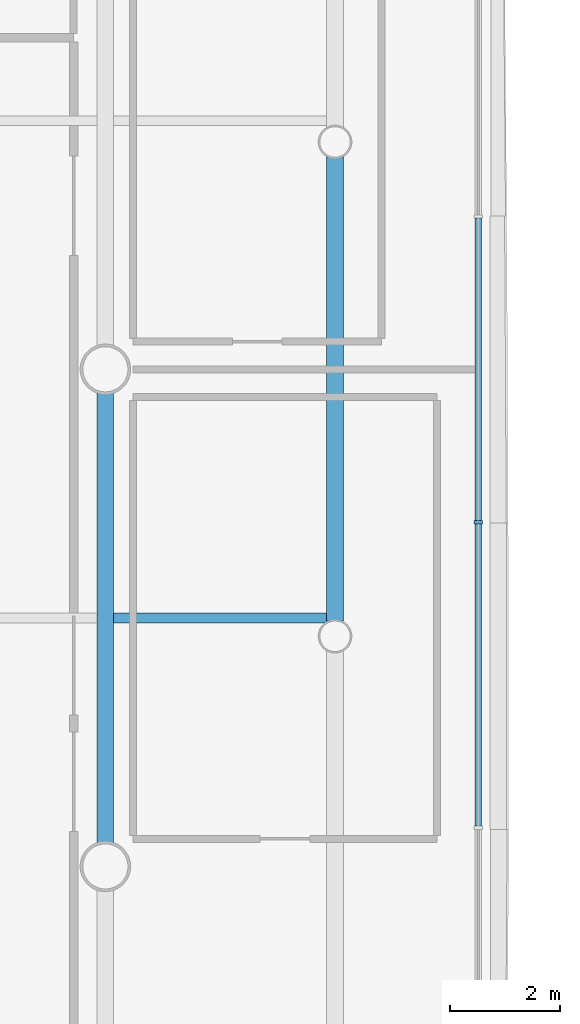
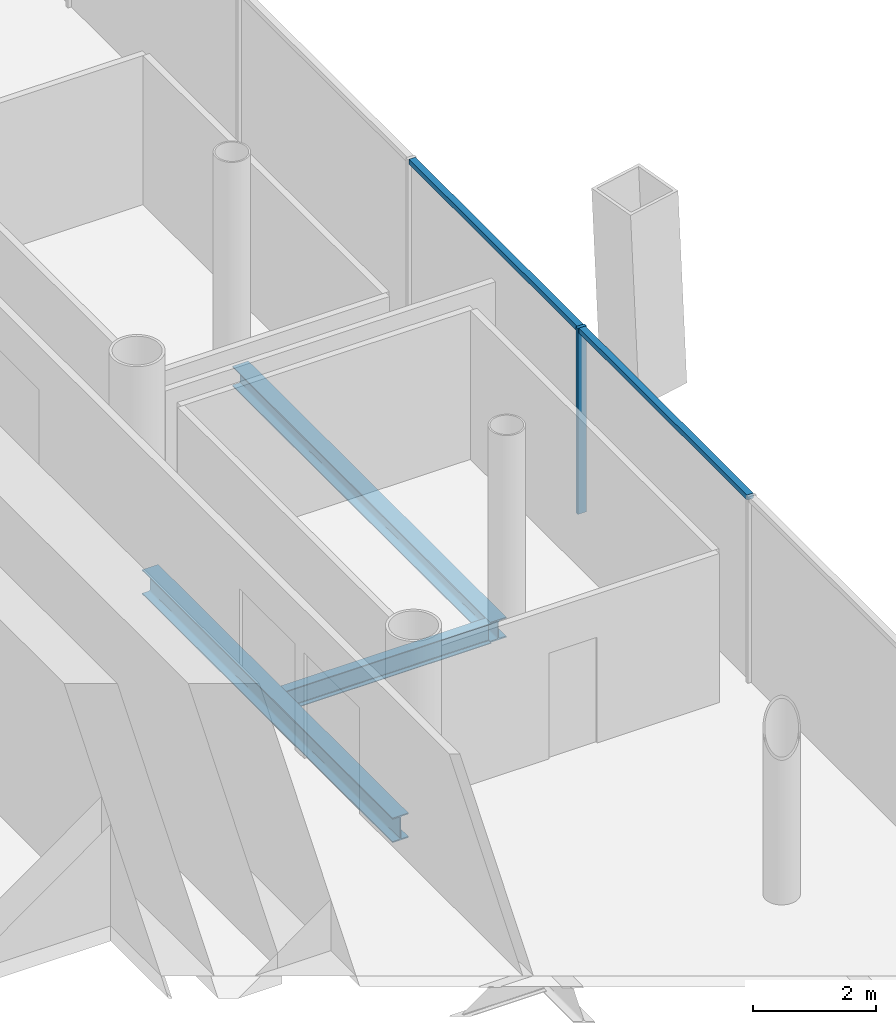
# One storey, part 7 of 22: 3 beams, 3 members, 1 element without a shape of its own.
"""IFC4 building model written with IfcOpenShell, lengths in metres."""

from ifc_helpers import new_model, si_unit, direction, frame, origin, origin_2d, place, context, subcontext, project, spatial, rectangle, i_section, extrude, material, material_profile, profile_set, type_object, element, aggregate, save


model = new_model("IFC4")

# Units and contexts
model_context = context("Model", 3, precision=1e-05, world=origin(), true_north=direction((0.0, 1.0)))
body_context = subcontext(model_context, "Body", "Model", "MODEL_VIEW")
ifc_project = project(units=[si_unit("LENGTHUNIT", "METRE"), si_unit("AREAUNIT", "SQUARE_METRE"), si_unit("VOLUMEUNIT", "CUBIC_METRE"), si_unit("PLANEANGLEUNIT", "RADIAN"), si_unit("MASSUNIT", "GRAM", prefix="KILO")], contexts=[model_context])

# Site, building, storey
site_placement = place(None, origin())
site = spatial("IfcSite", under=ifc_project, at=site_placement, CompositionType="ELEMENT")
building_placement = place(site_placement, origin())
building = spatial("IfcBuilding", under=site, at=building_placement, Name="Tskaro Facet Tower", CompositionType="ELEMENT")
storey_placement = place(building_placement, frame((0.0, 0.0, 18.60009765625)))
storey = spatial("IfcBuildingStorey", under=building, at=storey_placement, Name="L03", CompositionType="ELEMENT", Elevation=18.60009765625)

# Curtain wall, members
ifc_material_1 = material(Name="Bronze anodised aluminium 6063-T6", Category="aluminium")
curtain_wall_type = type_object("IfcCurtainWallType", Name="Bronze office curtain wall (FW1)", PredefinedType="NOTDEFINED", material=ifc_material_1)
curtain_wall_placement = place(storey_placement, origin())
curtain_wall = element("IfcCurtainWall", 1, at=curtain_wall_placement, inside=storey, type_object=curtain_wall_type, Name="FW1 east facet L03", PredefinedType="NOTDEFINED")
ifc_material_profile_1 = material_profile(ifc_material_1, rectangle(XDim=0.06005859375, YDim=0.159912109375, at=origin_2d()), Name="Mullion 60x160")
ifc_profile_set_1 = profile_set([ifc_material_profile_1], Name="Bronze anodised aluminium 6063-T6")
member_type_1 = type_object("IfcMemberType", Name="FW1 bronze mullion 60x160", PredefinedType="MULLION", material=ifc_profile_set_1)
member_1_placement = place(storey_placement, frame((24.75, -2.76611328125, 0.0), z_axis=(0.0, 0.0, 1.0), x_axis=(0.0, 1.0, 0.0)))
member_1 = element("IfcMember", 2, at=member_1_placement, type_object=member_type_1, Name="FW1 east mullion 4", PredefinedType="MULLION", context=body_context, shape_type="SweptSolid", body=[
    extrude(rectangle(XDim=0.06005859375, YDim=0.159912109375, at=origin_2d()), origin(), (0.0, 0.0, 1.0), 3.699951171875),
])
ifc_material_profile_2 = material_profile(ifc_material_1, rectangle(XDim=0.1201171875, YDim=0.10009765625, at=origin_2d()), Name="Transom 120x100")
ifc_profile_set_2 = profile_set([ifc_material_profile_2], Name="Bronze anodised aluminium 6063-T6")
member_type_2 = type_object("IfcMemberType", Name="FW1 bronze transom 120x100", PredefinedType="USERDEFINED", material=ifc_profile_set_2)
member_2_placement = place(storey_placement, frame((24.75, -8.2685546875, 3.64990234375), z_axis=(0.0, 1.0, 0.0), x_axis=(-1.0, 0.0, 0.0)))
member_2 = element("IfcMember", 3, at=member_2_placement, type_object=member_type_2, Name="FW1 east transom 4.1", ObjectType="TRANSOM", PredefinedType="USERDEFINED", context=body_context, shape_type="SweptSolid", body=[
    extrude(rectangle(XDim=0.1201171875, YDim=0.10009765625, at=origin_2d()), origin(), (0.0, 0.0, 1.0), 5.472412109375),
])
member_3_placement = place(storey_placement, frame((24.75, -2.736328125, 3.64990234375), z_axis=(0.0, 1.0, 0.0), x_axis=(-1.0, 0.0, 0.0)))
member_3 = element("IfcMember", 4, at=member_3_placement, type_object=member_type_2, Name="FW1 east transom 5.1", ObjectType="TRANSOM", PredefinedType="USERDEFINED", context=body_context, shape_type="SweptSolid", body=[
    extrude(rectangle(XDim=0.1201171875, YDim=0.10009765625, at=origin_2d()), origin(), (0.0, 0.0, 1.0), 5.47265625),
])
aggregate(curtain_wall, [member_1, member_2, member_3])

# Beams
ifc_material_2 = material(Name="Steel S355J2", Category="steel")
ifc_material_profile_3 = material_profile(ifc_material_2, i_section(OverallWidth=0.300048828125, OverallDepth=0.39990234375, WebThickness=0.013427734375, FlangeThickness=0.02392578125, FilletRadius=0.027099609375, at=origin_2d()), Name="HE 400 B")
ifc_profile_set_3 = profile_set([ifc_material_profile_3], Name="Steel S355J2")
beam_type_1 = type_object("IfcBeamType", Name="HE 400 B ring beam", PredefinedType="BEAM", material=ifc_profile_set_3)
beam_1_placement = place(storey_placement, frame((22.156982421875, -4.55810546875, -0.340087890625), z_axis=(0.0, 1.0, 0.0), x_axis=(-1.0, 0.0, 0.0)))
element("IfcBeam", 5, at=beam_1_placement, inside=storey, type_object=beam_type_1, Name="HE 400 B EB10-1", PredefinedType="BEAM", context=body_context, shape_type="SweptSolid", body=[
    extrude(i_section(OverallWidth=0.300048828125, OverallDepth=0.39990234375, WebThickness=0.013427734375, FlangeThickness=0.02392578125, FilletRadius=0.027099609375, at=origin_2d()), origin(), (0.0, 0.0, 1.0), 8.399169921875),
])
ifc_material_profile_4 = material_profile(ifc_material_2, i_section(OverallWidth=0.300048828125, OverallDepth=0.489990234375, WebThickness=0.011962890625, FlangeThickness=0.02294921875, FilletRadius=0.027099609375, at=origin_2d()), Name="HE 500 A")
ifc_profile_set_4 = profile_set([ifc_material_profile_4], Name="Steel S355J2")
beam_type_2 = type_object("IfcBeamType", Name="HE 500 A girder", PredefinedType="BEAM", material=ifc_profile_set_4)
beam_2_placement = place(storey_placement, frame((18.0, -8.57275390625, -0.385009765625), z_axis=(0.0, 1.0, 0.0), x_axis=(-1.0, 0.0, 0.0)))
element("IfcBeam", 6, at=beam_2_placement, inside=storey, type_object=beam_type_2, Name="HE 500 A GB6-3-1", PredefinedType="BEAM", context=body_context, shape_type="SweptSolid", body=[
    extrude(i_section(OverallWidth=0.300048828125, OverallDepth=0.489990234375, WebThickness=0.011962890625, FlangeThickness=0.02294921875, FilletRadius=0.027099609375, at=origin_2d()), origin(), (0.0, 0.0, 1.0), 8.1455078125),
])
ifc_material_profile_5 = material_profile(ifc_material_2, i_section(OverallWidth=0.179931640625, OverallDepth=0.39990234375, WebThickness=0.008544921875, FlangeThickness=0.013427734375, FilletRadius=0.02099609375, at=origin_2d()), Name="IPE 400")
ifc_profile_set_5 = profile_set([ifc_material_profile_5], Name="Steel S355J2")
beam_type_3 = type_object("IfcBeamType", Name="IPE 400 secondary beam", PredefinedType="BEAM", material=ifc_profile_set_5)
beam_3_placement = place(storey_placement, frame((18.14990234375, -4.5, -0.340087890625), z_axis=(1.0, 0.0, 0.0), x_axis=(0.0, 1.0, 0.0)))
element("IfcBeam", 7, at=beam_3_placement, inside=storey, type_object=beam_type_3, Name="IPE 400 SB3a-4-1", PredefinedType="BEAM", context=body_context, shape_type="SweptSolid", body=[
    extrude(i_section(OverallWidth=0.179931640625, OverallDepth=0.39990234375, WebThickness=0.008544921875, FlangeThickness=0.013427734375, FilletRadius=0.02099609375, at=origin_2d()), origin(), (0.0, 0.0, 1.0), 3.857177734375),
])

save(model, "model.ifc")
